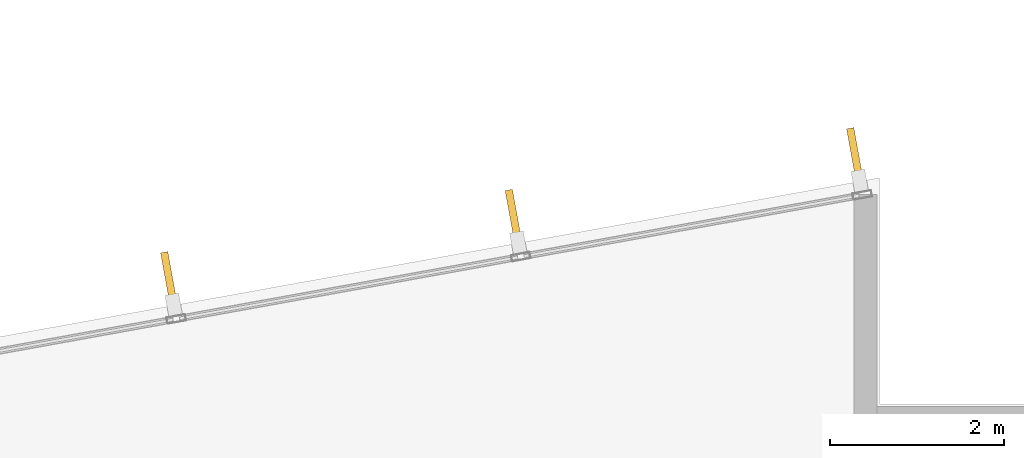
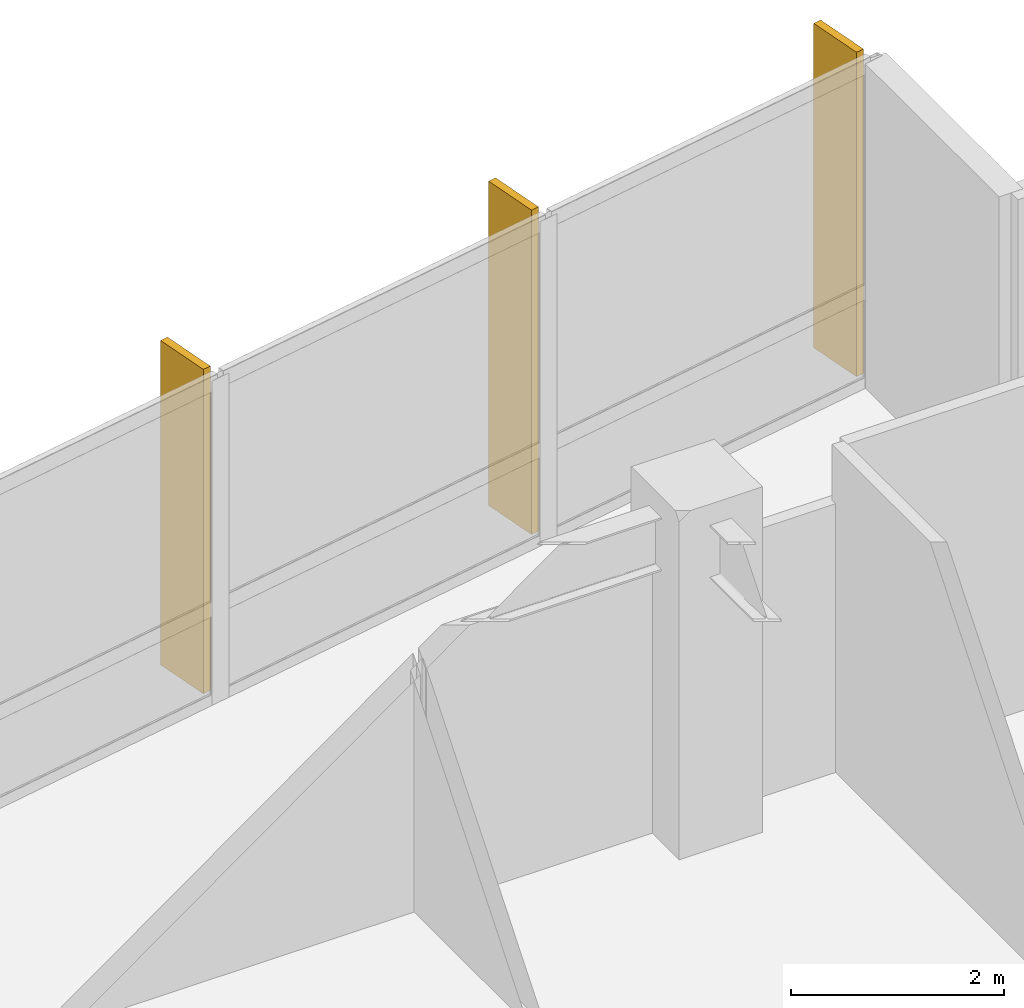
# One storey, part 19 of 19: 3 shading devices.
"""IFC4 building model written with IfcOpenShell, lengths in metres."""

from ifc_helpers import new_model, si_unit, direction, frame, origin, origin_2d, place, context, subcontext, project, spatial, rectangle, extrude, material, layer, layer_set, type_object, element, save


model = new_model("IFC4")

# Units and contexts
model_context = context("Model", 3, precision=1e-05, world=origin(), true_north=direction((0.0, 1.0)))
body_context = subcontext(model_context, "Body", "Model", "MODEL_VIEW")
ifc_project = project(units=[si_unit("LENGTHUNIT", "METRE"), si_unit("AREAUNIT", "SQUARE_METRE"), si_unit("VOLUMEUNIT", "CUBIC_METRE"), si_unit("PLANEANGLEUNIT", "RADIAN"), si_unit("MASSUNIT", "GRAM", prefix="KILO")], contexts=[model_context])

# Site, building, storey
site_placement = place(None, origin())
site = spatial("IfcSite", under=ifc_project, at=site_placement, CompositionType="ELEMENT")
building_placement = place(site_placement, origin())
building = spatial("IfcBuilding", under=site, at=building_placement, Name="Varnakote Quay Hospital", CompositionType="ELEMENT")
storey_placement = place(building_placement, frame((0.0, 0.0, 54.10009765625)))
storey = spatial("IfcBuildingStorey", under=building, at=storey_placement, Name="L13", CompositionType="ELEMENT", Elevation=54.10009765625)

# Shading devices
ifc_material = material(Name="Anodised aluminium 6063-T6 Bronze", Category="aluminium")
ifc_layer = layer(ifc_material, 0.0849609375)
ifc_layer_set = layer_set([ifc_layer], Name="Anodised aluminium 6063-T6 Bronze")
shading_device_type = type_object("IfcShadingDeviceType", Name="SHD-BRONZE-FIN-620", PredefinedType="USERDEFINED", material=ifc_layer_set)
for number, where, z_axis, x_axis, name in (
    (1, (55.319580078125, 34.664306640625, 0.0), (0.0, 0.0, 1.0), (0.177771795263, -0.984071739666, 0.0), "L13 Anodised Bronze Vertical Shading FIN"),
    (2, (51.393798828125, 33.954833984375, 0.0), (0.0, 0.0, 1.0), (0.177771795263, -0.984071739666, 0.0), "L13 Anodised Bronze Vertical Shading FIN"),
    (3, (47.43115234375, 33.23876953125, 0.0), (0.0, 0.0, 1.0), (0.177771795263, -0.984071739666, 0.0), "L13 Anodised Bronze Vertical Shading FIN"),
):
    element("IfcShadingDevice", number, at=place(storey_placement, frame(where, z_axis=z_axis, x_axis=x_axis)), inside=storey, type_object=shading_device_type, Name=name, ObjectType="FIN", PredefinedType="USERDEFINED", context=body_context, shape_type="SweptSolid", body=[
        extrude(rectangle(XDim=0.6201171875, YDim=0.0849609375, at=origin_2d()), origin(), (0.0, 0.0, 1.0), 3.7099609375),
    ])

save(model, "model.ifc")
